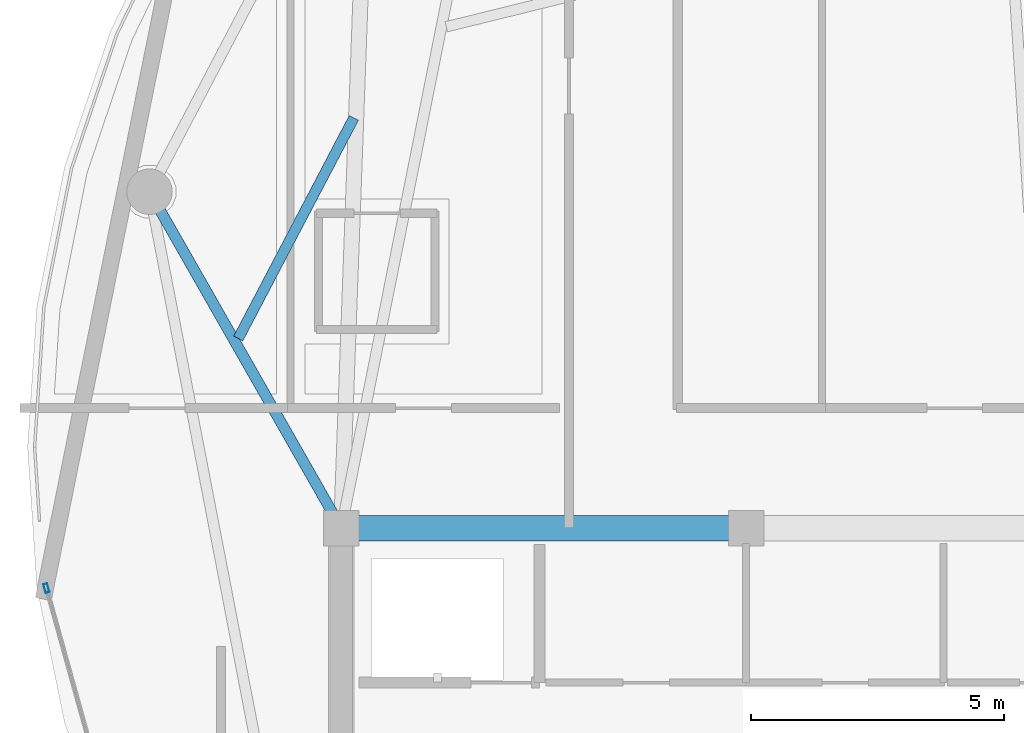
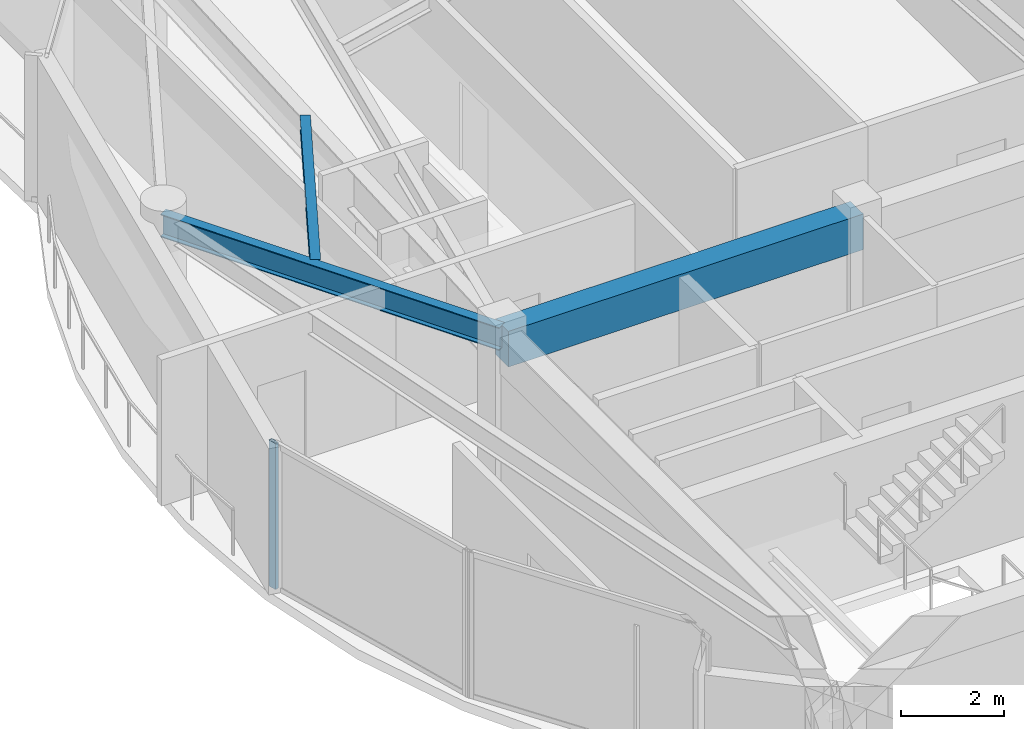
# One storey, part 9 of 29: 3 beams, 1 member, 1 element without a shape of its own.
"""IFC4 building model written with IfcOpenShell, lengths in metres."""

import ifcopenshell
import ifcopenshell.guid

model = None  # the IFC model being written
_history = None  # IfcOwnerHistory: only IFC2X3 demands one
_inside = {}  # id of a spatial element -> (the spatial element, [elements in it])
_under = {}  # id of a project, library or spatial element -> (it, [spatial elements below it])
_declared = {}  # id of a project -> (the project, [libraries it declares])
_typed = {}  # id of a type object -> (the type object, [elements of that type])
_made_of = {}  # id of a material, layer set ... -> (it, [elements and type objects made of it])


def new_model(schema):
    """Start an empty IFC model of exactly this schema.

    Asked for "IFC4X3", IfcOpenShell would pick the latest addendum, in which some entities
    have other attributes; the version numbers below select the first issue.
    IFC2X3 requires an IfcOwnerHistory on every rooted entity: one is made here for all.
    """
    global model, _history
    if schema == "IFC4X3":
        model = ifcopenshell.file(schema_version=(4, 3, 0, 0))
    else:
        model = ifcopenshell.file(schema=schema)
    _inside.clear()
    _under.clear()
    _declared.clear()
    _typed.clear()
    _made_of.clear()
    _history = None
    if model.schema == "IFC2X3":
        org = make("IfcOrganization", Name="unknown")
        user = make(
            "IfcPersonAndOrganization",
            ThePerson=make("IfcPerson", FamilyName="unknown"),
            TheOrganization=org,
        )
        app = make(
            "IfcApplication",
            ApplicationDeveloper=org,
            Version="unknown",
            ApplicationFullName="unknown",
            ApplicationIdentifier="unknown",
        )
        _history = make(
            "IfcOwnerHistory",
            OwningUser=user,
            OwningApplication=app,
            ChangeAction="ADDED",
            CreationDate=0,
        )
    return model


def make(cls, **values):
    """One entity of the class cls with the attributes given. An attribute that is None is left unset."""
    return model.create_entity(
        cls, **{name: value for name, value in values.items() if value is not None}
    )


def rooted(cls, **values):
    """An entity with a GlobalId (a new one), such as an element, a storey or a relation."""
    return make(cls, GlobalId=ifcopenshell.guid.new(), OwnerHistory=_history, **values)


def si_unit(unit_type, name, prefix=None):
    """IfcSIUnit, for example si_unit("LENGTHUNIT", "METRE", prefix="MILLI")."""
    return make("IfcSIUnit", UnitType=unit_type, Prefix=prefix, Name=name)


def assignment(units):
    """IfcUnitAssignment: the units of a project."""
    return None if units is None else make("IfcUnitAssignment", Units=units)


def point(xyz):
    """IfcCartesianPoint."""
    return None if xyz is None else make("IfcCartesianPoint", Coordinates=xyz)


def direction(xyz):
    """IfcDirection."""
    return None if xyz is None else make("IfcDirection", DirectionRatios=xyz)


def frame(location, z_axis=None, x_axis=None):
    """IfcAxis2Placement3D, a coordinate frame: its origin and axes. An axis left out is left unset."""
    return make(
        "IfcAxis2Placement3D",
        Location=point(location),
        Axis=direction(z_axis),
        RefDirection=direction(x_axis),
    )


def frame_2d(location, x_axis=None):
    """IfcAxis2Placement2D, a coordinate frame in the plane: its origin and x axis."""
    return make(
        "IfcAxis2Placement2D", Location=point(location), RefDirection=direction(x_axis)
    )


def origin():
    """The frame at (0, 0, 0) with its axes left unset."""
    return frame((0.0, 0.0, 0.0))


def origin_2d():
    """The frame at (0, 0) in the plane with its x axis left unset."""
    return frame_2d((0.0, 0.0))


def place(relative_to, where):
    """IfcLocalPlacement: puts the frame where relative to a parent placement (None: the world)."""
    return make(
        "IfcLocalPlacement", PlacementRelTo=relative_to, RelativePlacement=where
    )


def context(
    kind, dimensions, precision=None, world=None, true_north=None, identifier=None
):
    """IfcGeometricRepresentationContext, for example the 3D "Model" context."""
    return make(
        "IfcGeometricRepresentationContext",
        ContextIdentifier=identifier,
        ContextType=kind,
        CoordinateSpaceDimension=dimensions,
        Precision=precision,
        WorldCoordinateSystem=world,
        TrueNorth=true_north,
    )


def subcontext(parent, identifier, kind, view, scale=None):
    """IfcGeometricRepresentationSubContext, for example "Body" below "Model"."""
    return make(
        "IfcGeometricRepresentationSubContext",
        ContextIdentifier=identifier,
        ContextType=kind,
        ParentContext=parent,
        TargetScale=scale,
        TargetView=view,
    )


def project(units=None, contexts=None):
    """IfcProject with its units and contexts."""
    return rooted(
        "IfcProject",
        Name="project",
        RepresentationContexts=contexts,
        UnitsInContext=assignment(units),
    )


def spatial(cls, under=None, at=None, **own):
    """A site, building, storey or space (cls), placed at a placement, below another one or the project."""
    s = rooted(cls, ObjectPlacement=at, **own)
    if under is not None:
        _under.setdefault(under.id(), (under, []))[1].append(s)
    return s


def profile(cls, at=None, kind="AREA", **sizes):
    """A parametric profile (cls). Its sizes go by their IFC names, for example OverallWidth=200.0."""
    return make(cls, ProfileType=kind, Position=at, **sizes)


def rectangle(**sizes):
    """IfcRectangleProfileDef."""
    return profile("IfcRectangleProfileDef", **sizes)


def hollow_rectangle(**sizes):
    """IfcRectangleHollowProfileDef."""
    return profile("IfcRectangleHollowProfileDef", **sizes)


def i_section(**sizes):
    """IfcIShapeProfileDef."""
    return profile("IfcIShapeProfileDef", **sizes)


def extrude(swept, where, along, depth):
    """IfcExtrudedAreaSolid: the profile swept, set in the frame where, extruded along a direction by depth."""
    return make(
        "IfcExtrudedAreaSolid",
        SweptArea=swept,
        Position=where,
        ExtrudedDirection=direction(along),
        Depth=depth,
    )


def shape(context_of_items, identifier, shape_type, items):
    """IfcShapeRepresentation: the items that make up one representation, for example the "Body"."""
    return make(
        "IfcShapeRepresentation",
        ContextOfItems=context_of_items,
        RepresentationIdentifier=identifier,
        RepresentationType=shape_type,
        Items=items,
    )


def material(Name=None, Category=None):
    """IfcMaterial."""
    return make("IfcMaterial", Name=Name, Category=Category)


def layer(
    of_material, thickness, ventilated=None, Name=None, Category=None, Priority=None
):
    """IfcMaterialLayer: one layer of a wall or slab, of a material (None: an air gap)."""
    return make(
        "IfcMaterialLayer",
        Material=of_material,
        LayerThickness=thickness,
        IsVentilated=ventilated,
        Name=Name,
        Category=Category,
        Priority=Priority,
    )


def layer_set(layers, Name=None):
    """IfcMaterialLayerSet."""
    return make("IfcMaterialLayerSet", MaterialLayers=layers, LayerSetName=Name)


def material_profile(
    of_material, cross_section, Name=None, Category=None, Priority=None
):
    """IfcMaterialProfile: a cross section and its material."""
    return make(
        "IfcMaterialProfile",
        Name=Name,
        Material=of_material,
        Profile=cross_section,
        Priority=Priority,
        Category=Category,
    )


def profile_set(profiles, Name=None, composite=None):
    """IfcMaterialProfileSet."""
    return make(
        "IfcMaterialProfileSet",
        Name=Name,
        MaterialProfiles=profiles,
        CompositeProfile=composite,
    )


def made_of(thing, what):
    """Note that an element or type object is made of a material, layer set ...; save() writes the relation."""
    if what is not None:
        _made_of.setdefault(what.id(), (what, []))[1].append(thing)
    return thing


def type_object(cls, material=None, **own):
    """A type object (cls), such as IfcWallType, which elements share."""
    return made_of(rooted(cls, **own), material)


def element(
    cls,
    number,
    at=None,
    inside=None,
    cuts=None,
    type_object=None,
    material=None,
    context=None,
    identifier="Body",
    shape_type=None,
    held_by="IfcProductDefinitionShape",
    body=None,
    shapes=None,
    **own,
):
    """One element of the class cls, such as IfcWall. Its Tag is "e" and its number.

    at: its placement. inside: the storey or other place that contains it. cuts: it is an
    opening in that element (IfcRelVoidsElement). A single representation is given by context,
    identifier, shape_type and body (its items); several are given by shapes. held_by: the class
    of the entity that holds the representations. save() writes the other relations.
    """
    e = rooted(cls, Tag="e%d" % number, ObjectPlacement=at, **own)
    if body is not None:
        shapes = [shape(context, identifier, shape_type, body)]
    if shapes is not None:
        e.Representation = make(held_by, Representations=shapes)
    if inside is not None:
        _inside.setdefault(inside.id(), (inside, []))[1].append(e)
    if cuts is not None:
        rooted(
            "IfcRelVoidsElement", RelatingBuildingElement=cuts, RelatedOpeningElement=e
        )
    if type_object is not None:
        _typed.setdefault(type_object.id(), (type_object, []))[1].append(e)
    return made_of(e, material)


def aggregate(whole, parts):
    """IfcRelAggregates: a whole, such as a stair, and the parts it consists of."""
    return rooted("IfcRelAggregates", RelatingObject=whole, RelatedObjects=parts)


def save(model, path):
    """Write the relations noted so far, then the file.

    IfcRelAggregates (storeys below a building ...), IfcRelContainedInSpatialStructure (elements
    in a storey), IfcRelDefinesByType, IfcRelAssociatesMaterial and IfcRelDeclares: one each for
    every whole, place, type object, material and project.
    """
    for whole, parts in _under.values():
        aggregate(whole, parts)
    for where, things in _inside.values():
        rooted(
            "IfcRelContainedInSpatialStructure",
            RelatedElements=things,
            RelatingStructure=where,
        )
    for kind, things in _typed.values():
        rooted("IfcRelDefinesByType", RelatedObjects=things, RelatingType=kind)
    for what, things in _made_of.values():
        rooted("IfcRelAssociatesMaterial", RelatedObjects=things, RelatingMaterial=what)
    for by, libraries in _declared.values():
        rooted("IfcRelDeclares", RelatingContext=by, RelatedDefinitions=libraries)
    model.write(path)


model = new_model("IFC4")

# Units and contexts
model_context = context("Model", 3, precision=1e-05, world=origin(), true_north=direction((0.0, 1.0)))
body_context = subcontext(model_context, "Body", "Model", "MODEL_VIEW")
ifc_project = project(units=[si_unit("LENGTHUNIT", "METRE"), si_unit("AREAUNIT", "SQUARE_METRE"), si_unit("VOLUMEUNIT", "CUBIC_METRE"), si_unit("PLANEANGLEUNIT", "RADIAN"), si_unit("MASSUNIT", "GRAM", prefix="KILO")], contexts=[model_context])

# Site, building, storey
site_placement = place(None, origin())
site = spatial("IfcSite", under=ifc_project, at=site_placement, CompositionType="ELEMENT")
building_placement = place(site_placement, origin())
building = spatial("IfcBuilding", under=site, at=building_placement, Name="Kazevale Care Tower and Concert Hall", CompositionType="ELEMENT")
storey_placement = place(building_placement, frame((0.0, 0.0, 289.0)))
storey = spatial("IfcBuildingStorey", under=building, at=storey_placement, Name="L76", CompositionType="ELEMENT", Elevation=289.0)

# Curtain wall, member
ifc_material_1 = material(Name="Aluminium 6063-T6 and Low-E Glass", Category="aluminium")
ifc_layer = layer(ifc_material_1, 0.179931640625)
ifc_layer_set = layer_set([ifc_layer], Name="Aluminium 6063-T6 and Low-E Glass")
curtain_wall_type = type_object("IfcCurtainWallType", Name="Waist & Upper Residential Curtain Wall CW-4", PredefinedType="NOTDEFINED", material=ifc_layer_set)
curtain_wall_placement = place(storey_placement, origin())
curtain_wall = element("IfcCurtainWall", 1, at=curtain_wall_placement, inside=storey, type_object=curtain_wall_type, Name="cw:L76:f12", PredefinedType="NOTDEFINED")
ifc_material_2 = material(Name="Aluminium 6063-T6", Category="aluminium")
ifc_material_profile_1 = material_profile(ifc_material_2, hollow_rectangle(XDim=0.080078125, YDim=0.179931640625, WallThickness=0.0048828125, at=origin_2d()), Name="ALU80x180x5")
ifc_profile_set_1 = profile_set([ifc_material_profile_1], Name="Aluminium 6063-T6")
member_type = type_object("IfcMemberType", Name="CW-4 Mullion ALU80x180x5", PredefinedType="MULLION", material=ifc_profile_set_1)
member_placement = place(storey_placement, frame((16.1728515625, 35.215576171875, 0.0), z_axis=(0.0, 0.0, 1.0), x_axis=(-0.963194056491, -0.268807011704, 0.0)))
member = element("IfcMember", 2, at=member_placement, type_object=member_type, Name="CW-4 mullion 2", PredefinedType="MULLION", context=body_context, shape_type="SweptSolid", body=[
    extrude(hollow_rectangle(XDim=0.080078125, YDim=0.179931640625, WallThickness=0.0048828125, at=origin_2d()), origin(), (0.0, 0.0, 1.0), 3.47998046875),
])
aggregate(curtain_wall, [member])

# Beams
ifc_material_3 = material(Name="Concrete C60", Category="concrete")
ifc_material_profile_2 = material_profile(ifc_material_3, rectangle(XDim=0.5, YDim=0.85009765625, at=origin_2d()), Name="RC-B500x850")
ifc_profile_set_2 = profile_set([ifc_material_profile_2], Name="Concrete C60")
beam_type_1 = type_object("IfcBeamType", Name="Core Coupling Beam RC500x850", PredefinedType="LINTEL", material=ifc_profile_set_2)
beam_1_placement = place(storey_placement, frame((30.0, 36.39990234375, 3.054931640625), z_axis=(-1.0, 0.0, 0.0), x_axis=(0.0, -1.0, 0.0)))
element("IfcBeam", 3, at=beam_1_placement, inside=storey, type_object=beam_type_1, Name="beam:L76:coretie:7", PredefinedType="LINTEL", context=body_context, shape_type="SweptSolid", body=[
    extrude(rectangle(XDim=0.5, YDim=0.85009765625, at=origin_2d()), origin(), (0.0, 0.0, 1.0), 8.0),
])
ifc_material_4 = material(Name="Steel ASTM A572 Gr 50", Category="steel")
ifc_material_profile_3 = material_profile(ifc_material_4, i_section(OverallWidth=0.2119140625, OverallDepth=0.5439453125, WebThickness=0.01318359375, FlangeThickness=0.021240234375, at=origin_2d()), Name="W530x123")
ifc_profile_set_3 = profile_set([ifc_material_profile_3], Name="Steel ASTM A572 Gr 50")
beam_type_2 = type_object("IfcBeamType", Name="Radial Floor Girder W530x123", PredefinedType="BEAM", material=ifc_profile_set_3)
beam_2_placement = place(storey_placement, frame((22.0, 36.39990234375, 3.2080078125), z_axis=(-0.495149357892, 0.868807869082, 0.0), x_axis=(-0.868807869082, -0.495149357892, 0.0)))
element("IfcBeam", 4, at=beam_2_placement, inside=storey, type_object=beam_type_2, Name="beam:L76:rad:09", PredefinedType="BEAM", context=body_context, shape_type="SweptSolid", body=[
    extrude(i_section(OverallWidth=0.2119140625, OverallDepth=0.5439453125, WebThickness=0.01318359375, FlangeThickness=0.021240234375, at=origin_2d()), origin(), (0.0, 0.0, 1.0), 7.654296875),
])
ifc_material_profile_4 = material_profile(ifc_material_4, i_section(OverallWidth=0.205078125, OverallDepth=0.35400390625, WebThickness=0.009521484375, FlangeThickness=0.016845703125, at=origin_2d()), Name="W360x79")
ifc_profile_set_4 = profile_set([ifc_material_profile_4], Name="Steel ASTM A572 Gr 50")
beam_type_3 = type_object("IfcBeamType", Name="Secondary Floor Joist W360x79", PredefinedType="JOIST", material=ifc_profile_set_4)
beam_3_placement = place(storey_placement, frame((22.248046875, 44.508056640625, 3.302978515625), z_axis=(-0.46418126854, -0.885740227119, 0.0), x_axis=(0.885740227119, -0.46418126854, 0.0)))
element("IfcBeam", 5, at=beam_3_placement, inside=storey, type_object=beam_type_3, Name="beam:L76:joist:08", PredefinedType="JOIST", context=body_context, shape_type="SweptSolid", body=[
    extrude(i_section(OverallWidth=0.205078125, OverallDepth=0.35400390625, WebThickness=0.009521484375, FlangeThickness=0.016845703125, at=origin_2d()), origin(), (0.0, 0.0, 1.0), 4.92041015625),
])

save(model, "model.ifc")
